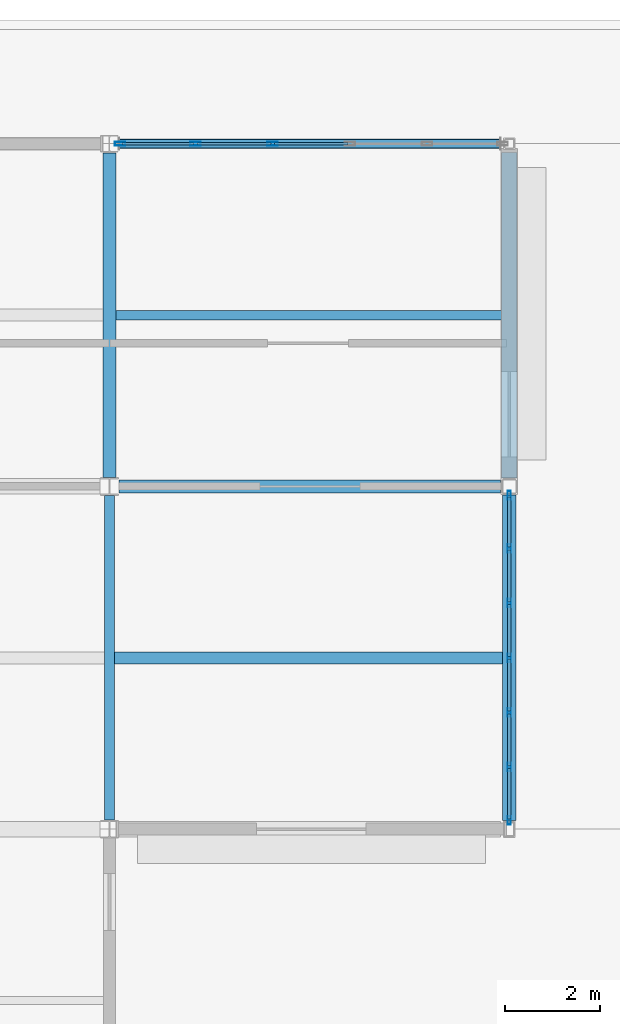
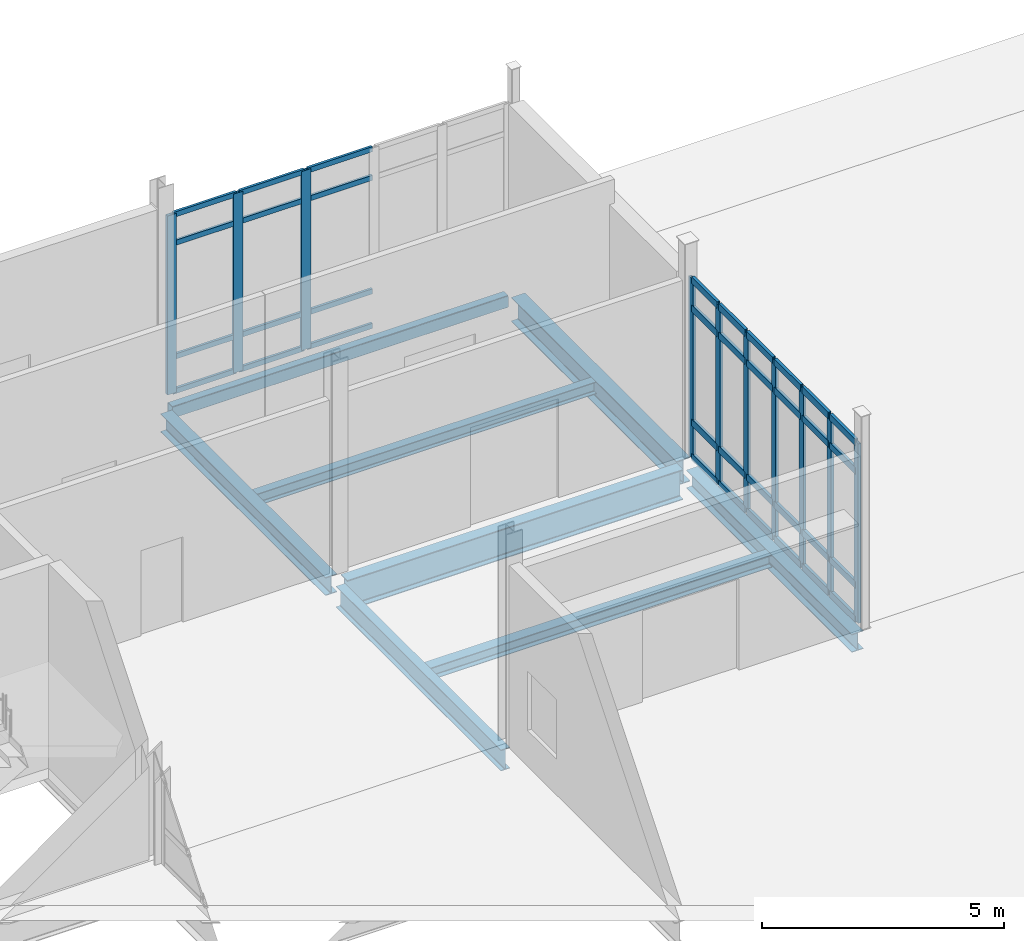
# One storey, part 110 of 229: 46 members, 8 beams, 2 elements without a shape of their own.
"""IFC4 building model written with IfcOpenShell, lengths in metres."""

from ifc_helpers import new_model, si_unit, direction, frame, origin, origin_2d, place, context, subcontext, project, spatial, hollow_rectangle, i_section, extrude, material, layer, layer_set, material_profile, profile_set, type_object, element, aggregate, save


model = new_model("IFC4")

# Units and contexts
model_context = context("Model", 3, precision=1e-05, world=origin(), true_north=direction((0.0, 1.0)))
body_context = subcontext(model_context, "Body", "Model", "MODEL_VIEW")
ifc_project = project(units=[si_unit("LENGTHUNIT", "METRE"), si_unit("AREAUNIT", "SQUARE_METRE"), si_unit("VOLUMEUNIT", "CUBIC_METRE"), si_unit("PLANEANGLEUNIT", "RADIAN"), si_unit("MASSUNIT", "GRAM", prefix="KILO")], contexts=[model_context])

# Site, building, storey
site_placement = place(None, origin())
site = spatial("IfcSite", under=ifc_project, at=site_placement, CompositionType="ELEMENT")
building_placement = place(site_placement, origin())
building = spatial("IfcBuilding", under=site, at=building_placement, Name="Calvrana Isthmian Art Gallery", CompositionType="ELEMENT")
storey_placement = place(building_placement, origin())
storey = spatial("IfcBuildingStorey", under=building, at=storey_placement, Name="L00", CompositionType="ELEMENT", Elevation=0.0)

# Beams
ifc_material_1 = material(Name="Steel ASTM A992 Gr 50", Category="steel")
ifc_material_profile_1 = material_profile(ifc_material_1, i_section(OverallWidth=0.279052734375, OverallDepth=0.4619140625, WebThickness=0.0107421875, FlangeThickness=0.017333984375, FilletRadius=0.02001953125, at=origin_2d()), Name="W18X76")
ifc_profile_set_1 = profile_set([ifc_material_profile_1], Name="Steel ASTM A992 Gr 50")
beam_type_1 = type_object("IfcBeamType", Name="BM-G-W18X76", PredefinedType="BEAM", material=ifc_profile_set_1)
beam_1_placement = place(storey_placement, frame((63.60009765625, 105.79052734375, -0.51611328125), z_axis=(0.0, 1.0, 0.0), x_axis=(-1.0, 0.0, 0.0)))
element("IfcBeam", 1, at=beam_1_placement, inside=storey, type_object=beam_type_1, Name="Girder Y L00 09/O-P", PredefinedType="BEAM", context=body_context, shape_type="SweptSolid", body=[
    extrude(i_section(OverallWidth=0.279052734375, OverallDepth=0.4619140625, WebThickness=0.0107421875, FlangeThickness=0.017333984375, FilletRadius=0.02001953125, at=origin_2d()), origin(), (0.0, 0.0, 1.0), 6.81640625),
])
beam_2_placement = place(storey_placement, frame((72.0, 98.577880859375, -0.51611328125), z_axis=(0.0, 1.0, 0.0), x_axis=(-1.0, 0.0, 0.0)))
element("IfcBeam", 2, at=beam_2_placement, inside=storey, type_object=beam_type_1, Name="Girder Y L00 10/N-O", PredefinedType="BEAM", context=body_context, shape_type="SweptSolid", body=[
    extrude(i_section(OverallWidth=0.279052734375, OverallDepth=0.4619140625, WebThickness=0.0107421875, FlangeThickness=0.017333984375, FilletRadius=0.02001953125, at=origin_2d()), origin(), (0.0, 0.0, 1.0), 6.840576171875),
])
ifc_material_profile_2 = material_profile(ifc_material_1, i_section(OverallWidth=0.208984375, OverallDepth=0.532958984375, WebThickness=0.01025390625, FlangeThickness=0.015625, FilletRadius=0.02099609375, at=origin_2d()), Name="W21X62")
ifc_profile_set_2 = profile_set([ifc_material_profile_2], Name="Steel ASTM A992 Gr 50")
beam_type_2 = type_object("IfcBeamType", Name="BM-G-W21X62", PredefinedType="BEAM", material=ifc_profile_set_2)
beam_3_placement = place(storey_placement, frame((63.60009765625, 98.587890625, -0.551513671875), z_axis=(0.0, 1.0, 0.0), x_axis=(-1.0, 0.0, 0.0)))
element("IfcBeam", 3, at=beam_3_placement, inside=storey, type_object=beam_type_2, Name="Girder Y L00 09/N-O", PredefinedType="BEAM", context=body_context, shape_type="SweptSolid", body=[
    extrude(i_section(OverallWidth=0.208984375, OverallDepth=0.532958984375, WebThickness=0.01025390625, FlangeThickness=0.015625, FilletRadius=0.02099609375, at=origin_2d()), origin(), (0.0, 0.0, 1.0), 6.821533203125),
])
ifc_material_profile_3 = material_profile(ifc_material_1, i_section(OverallWidth=0.324951171875, OverallDepth=0.612060546875, WebThickness=0.0126953125, FlangeThickness=0.01904296875, FilletRadius=0.02197265625, at=origin_2d()), Name="W24X104")
ifc_profile_set_3 = profile_set([ifc_material_profile_3], Name="Steel ASTM A992 Gr 50")
beam_type_3 = type_object("IfcBeamType", Name="BM-G-W24X104", PredefinedType="BEAM", material=ifc_profile_set_3)
beam_4_placement = place(storey_placement, frame((72.0, 105.781494140625, -0.591064453125), z_axis=(0.0, 1.0, 0.0), x_axis=(-1.0, 0.0, 0.0)))
element("IfcBeam", 4, at=beam_4_placement, inside=storey, type_object=beam_type_3, Name="Girder Y L00 10/O-P", PredefinedType="BEAM", context=body_context, shape_type="SweptSolid", body=[
    extrude(i_section(OverallWidth=0.324951171875, OverallDepth=0.612060546875, WebThickness=0.0126953125, FlangeThickness=0.01904296875, FilletRadius=0.02197265625, at=origin_2d()), origin(), (0.0, 0.0, 1.0), 6.83447265625),
])
ifc_material_profile_4 = material_profile(ifc_material_1, i_section(OverallWidth=0.26708984375, OverallDepth=0.761962890625, WebThickness=0.014404296875, FlangeThickness=0.021484375, FilletRadius=0.02490234375, at=origin_2d()), Name="W30X116")
ifc_profile_set_4 = profile_set([ifc_material_profile_4], Name="Steel ASTM A992 Gr 50")
beam_type_4 = type_object("IfcBeamType", Name="BM-G-W30X116", PredefinedType="BEAM", material=ifc_profile_set_4)
beam_5_placement = place(storey_placement, frame((63.798095703125, 105.60009765625, -0.666015625), z_axis=(1.0, 0.0, 0.0), x_axis=(0.0, 1.0, 0.0)))
element("IfcBeam", 5, at=beam_5_placement, inside=storey, type_object=beam_type_4, Name="Girder X L00 09-10/O", PredefinedType="BEAM", context=body_context, shape_type="SweptSolid", body=[
    extrude(i_section(OverallWidth=0.26708984375, OverallDepth=0.761962890625, WebThickness=0.014404296875, FlangeThickness=0.021484375, FilletRadius=0.02490234375, at=origin_2d()), origin(), (0.0, 0.0, 1.0), 8.016357421875),
])
ifc_material_profile_5 = material_profile(ifc_material_1, i_section(OverallWidth=0.202880859375, OverallDepth=0.302001953125, WebThickness=0.007568359375, FlangeThickness=0.01318359375, FilletRadius=0.01611328125, at=origin_2d()), Name="W12X40")
ifc_profile_set_5 = profile_set([ifc_material_profile_5], Name="Steel ASTM A992 Gr 50")
beam_type_5 = type_object("IfcBeamType", Name="BM-J-W12X40", PredefinedType="JOIST", material=ifc_profile_set_5)
beam_6_placement = place(storey_placement, frame((63.739501953125, 109.199951171875, -0.43603515625), z_axis=(1.0, 0.0, 0.0), x_axis=(0.0, 1.0, 0.0)))
element("IfcBeam", 6, at=beam_6_placement, inside=storey, type_object=beam_type_5, Name="Composite joist L00 bay 08-14", PredefinedType="JOIST", context=body_context, shape_type="SweptSolid", body=[
    extrude(i_section(OverallWidth=0.202880859375, OverallDepth=0.302001953125, WebThickness=0.007568359375, FlangeThickness=0.01318359375, FilletRadius=0.01611328125, at=origin_2d()), origin(), (0.0, 0.0, 1.0), 8.097900390625),
])
ifc_material_profile_6 = material_profile(ifc_material_1, i_section(OverallWidth=0.25390625, OverallDepth=0.306884765625, WebThickness=0.0087890625, FlangeThickness=0.0146484375, FilletRadius=0.01611328125, at=origin_2d()), Name="W12X53")
ifc_profile_set_6 = profile_set([ifc_material_profile_6], Name="Steel ASTM A992 Gr 50")
beam_type_6 = type_object("IfcBeamType", Name="BM-J-W12X53", PredefinedType="JOIST", material=ifc_profile_set_6)
beam_7_placement = place(storey_placement, frame((63.70458984375, 102.0, -0.4384765625), z_axis=(1.0, 0.0, 0.0), x_axis=(0.0, 1.0, 0.0)))
element("IfcBeam", 7, at=beam_7_placement, inside=storey, type_object=beam_type_6, Name="Composite joist L00 bay 08-13", PredefinedType="JOIST", context=body_context, shape_type="SweptSolid", body=[
    extrude(i_section(OverallWidth=0.25390625, OverallDepth=0.306884765625, WebThickness=0.0087890625, FlangeThickness=0.0146484375, FilletRadius=0.01611328125, at=origin_2d()), origin(), (0.0, 0.0, 1.0), 8.156005859375),
])
ifc_material_2 = material(Name="Steel ASTM A500 Gr C", Category="steel")
ifc_material_profile_7 = material_profile(ifc_material_2, hollow_rectangle(XDim=0.203125, YDim=0.3046875, WallThickness=0.0126953125, OuterFilletRadius=0.02490234375, at=origin_2d()), Name="HSS305X203X12.7")
ifc_profile_set_7 = profile_set([ifc_material_profile_7], Name="Steel ASTM A500 Gr C")
beam_type_7 = type_object("IfcBeamType", Name="BM-SP-HSS305", PredefinedType="SPANDREL", material=ifc_profile_set_7)
beam_8_placement = place(storey_placement, frame((63.799560546875, 112.800048828125, -0.4375), z_axis=(1.0, 0.0, 0.0), x_axis=(0.0, 1.0, 0.0)))
element("IfcBeam", 8, at=beam_8_placement, inside=storey, type_object=beam_type_7, Name="Girder X L00 09-10/P", PredefinedType="SPANDREL", context=body_context, shape_type="SweptSolid", body=[
    extrude(hollow_rectangle(XDim=0.203125, YDim=0.3046875, WallThickness=0.0126953125, OuterFilletRadius=0.02490234375, at=origin_2d()), origin(), (0.0, 0.0, 1.0), 8.013916015625),
])

# Curtain wall, members
ifc_material_3 = material(Name="Anodized bronze aluminium 6063-T6", Category="aluminium")
ifc_layer_1 = layer(ifc_material_3, 0.179931640625, Name="Anodized bronze aluminium 6063-T6")
ifc_layer_set_1 = layer_set([ifc_layer_1], Name="Anodized bronze aluminium 6063-T6")
curtain_wall_type_1 = type_object("IfcCurtainWallType", Name="CW-UNIT-069X45", PredefinedType="USERDEFINED", material=ifc_layer_set_1)
curtain_wall_1_placement = place(storey_placement, origin())
curtain_wall_1 = element("IfcCurtainWall", 9, at=curtain_wall_1_placement, inside=storey, type_object=curtain_wall_type_1, Name="Curtain wall CW-068", ObjectType="UNITISED CURTAIN WALL", PredefinedType="USERDEFINED")
ifc_material_profile_8 = material_profile(ifc_material_3, hollow_rectangle(XDim=0.06494140625, YDim=0.179931640625, WallThickness=0.00439453125, at=origin_2d()), Name="CWM65X180")
ifc_profile_set_8 = profile_set([ifc_material_profile_8], Name="Anodized bronze aluminium 6063-T6")
member_type_1 = type_object("IfcMemberType", Name="CWM-CWM65X180", PredefinedType="MULLION", material=ifc_profile_set_8)
member_1_placement = place(storey_placement, frame((72.0, 105.4150390625, 0.0), z_axis=(0.0, 0.0, 1.0), x_axis=(1.0, 0.0, 0.0)))
member_1 = element("IfcMember", 10, at=member_1_placement, type_object=member_type_1, Name="CW-068 mullion 1", PredefinedType="MULLION", context=body_context, shape_type="SweptSolid", body=[
    extrude(hollow_rectangle(XDim=0.06494140625, YDim=0.179931640625, WallThickness=0.00439453125, at=origin_2d()), origin(), (0.0, 0.0, 1.0), 4.528076171875),
])
member_2_placement = place(storey_placement, frame((72.0, 104.29833984375, 0.0), z_axis=(0.0, 0.0, 1.0), x_axis=(1.0, 0.0, 0.0)))
member_2 = element("IfcMember", 11, at=member_2_placement, type_object=member_type_1, Name="CW-068 mullion 2", PredefinedType="MULLION", context=body_context, shape_type="SweptSolid", body=[
    extrude(hollow_rectangle(XDim=0.06494140625, YDim=0.179931640625, WallThickness=0.00439453125, at=origin_2d()), origin(), (0.0, 0.0, 1.0), 4.528076171875),
])
member_3_placement = place(storey_placement, frame((72.0, 103.149169921875, 0.0), z_axis=(0.0, 0.0, 1.0), x_axis=(1.0, 0.0, 0.0)))
member_3 = element("IfcMember", 12, at=member_3_placement, type_object=member_type_1, Name="CW-068 mullion 3", PredefinedType="MULLION", context=body_context, shape_type="SweptSolid", body=[
    extrude(hollow_rectangle(XDim=0.06494140625, YDim=0.179931640625, WallThickness=0.00439453125, at=origin_2d()), origin(), (0.0, 0.0, 1.0), 4.528076171875),
])
member_4_placement = place(storey_placement, frame((72.0, 102.0, 0.0), z_axis=(0.0, 0.0, 1.0), x_axis=(1.0, 0.0, 0.0)))
member_4 = element("IfcMember", 13, at=member_4_placement, type_object=member_type_1, Name="CW-068 mullion 4", PredefinedType="MULLION", context=body_context, shape_type="SweptSolid", body=[
    extrude(hollow_rectangle(XDim=0.06494140625, YDim=0.179931640625, WallThickness=0.00439453125, at=origin_2d()), origin(), (0.0, 0.0, 1.0), 4.528076171875),
])
member_5_placement = place(storey_placement, frame((72.0, 100.850830078125, 0.0), z_axis=(0.0, 0.0, 1.0), x_axis=(1.0, 0.0, 0.0)))
member_5 = element("IfcMember", 14, at=member_5_placement, type_object=member_type_1, Name="CW-068 mullion 5", PredefinedType="MULLION", context=body_context, shape_type="SweptSolid", body=[
    extrude(hollow_rectangle(XDim=0.06494140625, YDim=0.179931640625, WallThickness=0.00439453125, at=origin_2d()), origin(), (0.0, 0.0, 1.0), 4.528076171875),
])
member_6_placement = place(storey_placement, frame((72.0, 99.70166015625, 0.0), z_axis=(0.0, 0.0, 1.0), x_axis=(1.0, 0.0, 0.0)))
member_6 = element("IfcMember", 15, at=member_6_placement, type_object=member_type_1, Name="CW-068 mullion 6", PredefinedType="MULLION", context=body_context, shape_type="SweptSolid", body=[
    extrude(hollow_rectangle(XDim=0.06494140625, YDim=0.179931640625, WallThickness=0.00439453125, at=origin_2d()), origin(), (0.0, 0.0, 1.0), 4.528076171875),
])
member_7_placement = place(storey_placement, frame((72.0, 98.5849609375, 0.0), z_axis=(0.0, 0.0, 1.0), x_axis=(1.0, 0.0, 0.0)))
member_7 = element("IfcMember", 16, at=member_7_placement, type_object=member_type_1, Name="CW-068 mullion 7", PredefinedType="MULLION", context=body_context, shape_type="SweptSolid", body=[
    extrude(hollow_rectangle(XDim=0.06494140625, YDim=0.179931640625, WallThickness=0.00439453125, at=origin_2d()), origin(), (0.0, 0.0, 1.0), 4.528076171875),
])

ifc_layer_2 = layer(ifc_material_3, 0.179931640625, Name="Anodized bronze aluminium 6063-T6")
ifc_layer_set_2 = layer_set([ifc_layer_2], Name="Anodized bronze aluminium 6063-T6")
curtain_wall_type_2 = type_object("IfcCurtainWallType", Name="CW-UNIT-081X45", PredefinedType="USERDEFINED", material=ifc_layer_set_2)
curtain_wall_2_placement = place(storey_placement, origin())
curtain_wall_2 = element("IfcCurtainWall", 17, at=curtain_wall_2_placement, inside=storey, type_object=curtain_wall_type_2, Name="Curtain wall CW-046", ObjectType="UNITISED CURTAIN WALL", PredefinedType="USERDEFINED")
ifc_material_profile_9 = material_profile(ifc_material_3, hollow_rectangle(XDim=0.074951171875, YDim=0.219970703125, WallThickness=0.0048828125, at=origin_2d()), Name="CWM75X220")
ifc_profile_set_9 = profile_set([ifc_material_profile_9], Name="Anodized bronze aluminium 6063-T6")
member_type_2 = type_object("IfcMemberType", Name="CWM-CWM75X220", PredefinedType="MULLION", material=ifc_profile_set_9)
member_8_placement = place(storey_placement, frame((63.821533203125, 112.800048828125, 0.0), z_axis=(0.0, 0.0, 1.0), x_axis=(0.0, 1.0, 0.0)))
member_8 = element("IfcMember", 18, at=member_8_placement, type_object=member_type_2, Name="CW-046 mullion 1", PredefinedType="MULLION", context=body_context, shape_type="SweptSolid", body=[
    extrude(hollow_rectangle(XDim=0.074951171875, YDim=0.219970703125, WallThickness=0.0048828125, at=origin_2d()), origin(), (0.0, 0.0, 1.0), 4.51806640625),
])
member_9_placement = place(storey_placement, frame((65.406982421875, 112.800048828125, 0.0), z_axis=(0.0, 0.0, 1.0), x_axis=(0.0, 1.0, 0.0)))
member_9 = element("IfcMember", 19, at=member_9_placement, type_object=member_type_2, Name="CW-046 mullion 2", PredefinedType="MULLION", context=body_context, shape_type="SweptSolid", body=[
    extrude(hollow_rectangle(XDim=0.074951171875, YDim=0.219970703125, WallThickness=0.0048828125, at=origin_2d()), origin(), (0.0, 0.0, 1.0), 4.51806640625),
])
member_10_placement = place(storey_placement, frame((67.02978515625, 112.800048828125, 0.0), z_axis=(0.0, 0.0, 1.0), x_axis=(0.0, 1.0, 0.0)))
member_10 = element("IfcMember", 20, at=member_10_placement, type_object=member_type_2, Name="CW-046 mullion 3", PredefinedType="MULLION", context=body_context, shape_type="SweptSolid", body=[
    extrude(hollow_rectangle(XDim=0.074951171875, YDim=0.219970703125, WallThickness=0.0048828125, at=origin_2d()), origin(), (0.0, 0.0, 1.0), 4.51806640625),
])
ifc_material_profile_10 = material_profile(ifc_material_3, hollow_rectangle(XDim=0.06005859375, YDim=0.1298828125, WallThickness=0.00390625, at=origin_2d()), Name="CWT60X130")
ifc_profile_set_10 = profile_set([ifc_material_profile_10], Name="Anodized bronze aluminium 6063-T6")
member_type_3 = type_object("IfcMemberType", Name="CWT-CWT60X130", PredefinedType="USERDEFINED", material=ifc_profile_set_10)
member_11_placement = place(storey_placement, frame((63.85888671875, 112.800048828125, 0.030029296875), z_axis=(1.0, 0.0, 0.0), x_axis=(0.0, 1.0, 0.0)))
member_11 = element("IfcMember", 21, at=member_11_placement, type_object=member_type_3, Name="CW-046 transom 1.1", ObjectType="TRANSOM", PredefinedType="USERDEFINED", context=body_context, shape_type="SweptSolid", body=[
    extrude(hollow_rectangle(XDim=0.06005859375, YDim=0.1298828125, WallThickness=0.00390625, at=origin_2d()), origin(), (0.0, 0.0, 1.0), 1.510498046875),
])
member_12_placement = place(storey_placement, frame((63.85888671875, 112.800048828125, 0.89990234375), z_axis=(1.0, 0.0, 0.0), x_axis=(0.0, 1.0, 0.0)))
member_12 = element("IfcMember", 22, at=member_12_placement, type_object=member_type_3, Name="CW-046 transom 1.2", ObjectType="TRANSOM", PredefinedType="USERDEFINED", context=body_context, shape_type="SweptSolid", body=[
    extrude(hollow_rectangle(XDim=0.06005859375, YDim=0.1298828125, WallThickness=0.00390625, at=origin_2d()), origin(), (0.0, 0.0, 1.0), 1.510498046875),
])
member_13_placement = place(storey_placement, frame((63.85888671875, 112.800048828125, 3.76806640625), z_axis=(1.0, 0.0, 0.0), x_axis=(0.0, 1.0, 0.0)))
member_13 = element("IfcMember", 23, at=member_13_placement, type_object=member_type_3, Name="CW-046 transom 1.3", ObjectType="TRANSOM", PredefinedType="USERDEFINED", context=body_context, shape_type="SweptSolid", body=[
    extrude(hollow_rectangle(XDim=0.06005859375, YDim=0.1298828125, WallThickness=0.00390625, at=origin_2d()), origin(), (0.0, 0.0, 1.0), 1.510498046875),
])
member_14_placement = place(storey_placement, frame((63.85888671875, 112.800048828125, 4.488037109375), z_axis=(1.0, 0.0, 0.0), x_axis=(0.0, 1.0, 0.0)))
member_14 = element("IfcMember", 24, at=member_14_placement, type_object=member_type_3, Name="CW-046 transom 1.4", ObjectType="TRANSOM", PredefinedType="USERDEFINED", context=body_context, shape_type="SweptSolid", body=[
    extrude(hollow_rectangle(XDim=0.06005859375, YDim=0.1298828125, WallThickness=0.00390625, at=origin_2d()), origin(), (0.0, 0.0, 1.0), 1.510498046875),
])
member_15_placement = place(storey_placement, frame((65.4443359375, 112.800048828125, 0.030029296875), z_axis=(1.0, 0.0, 0.0), x_axis=(0.0, 1.0, 0.0)))
member_15 = element("IfcMember", 25, at=member_15_placement, type_object=member_type_3, Name="CW-046 transom 2.1", ObjectType="TRANSOM", PredefinedType="USERDEFINED", context=body_context, shape_type="SweptSolid", body=[
    extrude(hollow_rectangle(XDim=0.06005859375, YDim=0.1298828125, WallThickness=0.00390625, at=origin_2d()), origin(), (0.0, 0.0, 1.0), 1.5478515625),
])
member_16_placement = place(storey_placement, frame((65.4443359375, 112.800048828125, 0.89990234375), z_axis=(1.0, 0.0, 0.0), x_axis=(0.0, 1.0, 0.0)))
member_16 = element("IfcMember", 26, at=member_16_placement, type_object=member_type_3, Name="CW-046 transom 2.2", ObjectType="TRANSOM", PredefinedType="USERDEFINED", context=body_context, shape_type="SweptSolid", body=[
    extrude(hollow_rectangle(XDim=0.06005859375, YDim=0.1298828125, WallThickness=0.00390625, at=origin_2d()), origin(), (0.0, 0.0, 1.0), 1.5478515625),
])
member_17_placement = place(storey_placement, frame((65.4443359375, 112.800048828125, 3.76806640625), z_axis=(1.0, 0.0, 0.0), x_axis=(0.0, 1.0, 0.0)))
member_17 = element("IfcMember", 27, at=member_17_placement, type_object=member_type_3, Name="CW-046 transom 2.3", ObjectType="TRANSOM", PredefinedType="USERDEFINED", context=body_context, shape_type="SweptSolid", body=[
    extrude(hollow_rectangle(XDim=0.06005859375, YDim=0.1298828125, WallThickness=0.00390625, at=origin_2d()), origin(), (0.0, 0.0, 1.0), 1.5478515625),
])
member_18_placement = place(storey_placement, frame((65.4443359375, 112.800048828125, 4.488037109375), z_axis=(1.0, 0.0, 0.0), x_axis=(0.0, 1.0, 0.0)))
member_18 = element("IfcMember", 28, at=member_18_placement, type_object=member_type_3, Name="CW-046 transom 2.4", ObjectType="TRANSOM", PredefinedType="USERDEFINED", context=body_context, shape_type="SweptSolid", body=[
    extrude(hollow_rectangle(XDim=0.06005859375, YDim=0.1298828125, WallThickness=0.00390625, at=origin_2d()), origin(), (0.0, 0.0, 1.0), 1.5478515625),
])
member_19_placement = place(storey_placement, frame((67.067138671875, 112.800048828125, 0.030029296875), z_axis=(1.0, 0.0, 0.0), x_axis=(0.0, 1.0, 0.0)))
member_19 = element("IfcMember", 29, at=member_19_placement, type_object=member_type_3, Name="CW-046 transom 3.1", ObjectType="TRANSOM", PredefinedType="USERDEFINED", context=body_context, shape_type="SweptSolid", body=[
    extrude(hollow_rectangle(XDim=0.06005859375, YDim=0.1298828125, WallThickness=0.00390625, at=origin_2d()), origin(), (0.0, 0.0, 1.0), 1.548095703125),
])
member_20_placement = place(storey_placement, frame((67.067138671875, 112.800048828125, 0.89990234375), z_axis=(1.0, 0.0, 0.0), x_axis=(0.0, 1.0, 0.0)))
member_20 = element("IfcMember", 30, at=member_20_placement, type_object=member_type_3, Name="CW-046 transom 3.2", ObjectType="TRANSOM", PredefinedType="USERDEFINED", context=body_context, shape_type="SweptSolid", body=[
    extrude(hollow_rectangle(XDim=0.06005859375, YDim=0.1298828125, WallThickness=0.00390625, at=origin_2d()), origin(), (0.0, 0.0, 1.0), 1.548095703125),
])
member_21_placement = place(storey_placement, frame((67.067138671875, 112.800048828125, 3.76806640625), z_axis=(1.0, 0.0, 0.0), x_axis=(0.0, 1.0, 0.0)))
member_21 = element("IfcMember", 31, at=member_21_placement, type_object=member_type_3, Name="CW-046 transom 3.3", ObjectType="TRANSOM", PredefinedType="USERDEFINED", context=body_context, shape_type="SweptSolid", body=[
    extrude(hollow_rectangle(XDim=0.06005859375, YDim=0.1298828125, WallThickness=0.00390625, at=origin_2d()), origin(), (0.0, 0.0, 1.0), 1.548095703125),
])
member_22_placement = place(storey_placement, frame((67.067138671875, 112.800048828125, 4.488037109375), z_axis=(1.0, 0.0, 0.0), x_axis=(0.0, 1.0, 0.0)))
member_22 = element("IfcMember", 32, at=member_22_placement, type_object=member_type_3, Name="CW-046 transom 3.4", ObjectType="TRANSOM", PredefinedType="USERDEFINED", context=body_context, shape_type="SweptSolid", body=[
    extrude(hollow_rectangle(XDim=0.06005859375, YDim=0.1298828125, WallThickness=0.00390625, at=origin_2d()), origin(), (0.0, 0.0, 1.0), 1.548095703125),
])
aggregate(curtain_wall_2, [member_8, member_9, member_10, member_11, member_12, member_13, member_14, member_15, member_16, member_17, member_18, member_19, member_20, member_21, member_22])

# Member
ifc_material_profile_11 = material_profile(ifc_material_3, hollow_rectangle(XDim=0.070068359375, YDim=0.169921875, WallThickness=0.00439453125, at=origin_2d()), Name="CWT70X170")
ifc_profile_set_11 = profile_set([ifc_material_profile_11], Name="Anodized bronze aluminium 6063-T6")
member_type_4 = type_object("IfcMemberType", Name="CWT-CWT70X170", PredefinedType="USERDEFINED", material=ifc_profile_set_11)
member_23_placement = place(storey_placement, frame((72.0, 105.382568359375, 0.034912109375), z_axis=(0.0, -1.0, 0.0), x_axis=(1.0, 0.0, 0.0)))
member_23 = element("IfcMember", 33, at=member_23_placement, type_object=member_type_4, Name="CW-068 transom 1.1", ObjectType="TRANSOM", PredefinedType="USERDEFINED", context=body_context, shape_type="SweptSolid", body=[
    extrude(hollow_rectangle(XDim=0.070068359375, YDim=0.169921875, WallThickness=0.00439453125, at=origin_2d()), origin(), (0.0, 0.0, 1.0), 1.0517578125),
])

member_24_placement = place(storey_placement, frame((72.0, 105.382568359375, 0.89990234375), z_axis=(0.0, -1.0, 0.0), x_axis=(1.0, 0.0, 0.0)))
member_24 = element("IfcMember", 34, at=member_24_placement, type_object=member_type_4, Name="CW-068 transom 1.2", ObjectType="TRANSOM", PredefinedType="USERDEFINED", context=body_context, shape_type="SweptSolid", body=[
    extrude(hollow_rectangle(XDim=0.070068359375, YDim=0.169921875, WallThickness=0.00439453125, at=origin_2d()), origin(), (0.0, 0.0, 1.0), 1.0517578125),
])

member_25_placement = place(storey_placement, frame((72.0, 105.382568359375, 3.778076171875), z_axis=(0.0, -1.0, 0.0), x_axis=(1.0, 0.0, 0.0)))
member_25 = element("IfcMember", 35, at=member_25_placement, type_object=member_type_4, Name="CW-068 transom 1.3", ObjectType="TRANSOM", PredefinedType="USERDEFINED", context=body_context, shape_type="SweptSolid", body=[
    extrude(hollow_rectangle(XDim=0.070068359375, YDim=0.169921875, WallThickness=0.00439453125, at=origin_2d()), origin(), (0.0, 0.0, 1.0), 1.0517578125),
])

member_26_placement = place(storey_placement, frame((72.0, 105.382568359375, 4.492919921875), z_axis=(0.0, -1.0, 0.0), x_axis=(1.0, 0.0, 0.0)))
member_26 = element("IfcMember", 36, at=member_26_placement, type_object=member_type_4, Name="CW-068 transom 1.4", ObjectType="TRANSOM", PredefinedType="USERDEFINED", context=body_context, shape_type="SweptSolid", body=[
    extrude(hollow_rectangle(XDim=0.070068359375, YDim=0.169921875, WallThickness=0.00439453125, at=origin_2d()), origin(), (0.0, 0.0, 1.0), 1.0517578125),
])

member_27_placement = place(storey_placement, frame((72.0, 104.265869140625, 0.034912109375), z_axis=(0.0, -1.0, 0.0), x_axis=(1.0, 0.0, 0.0)))
member_27 = element("IfcMember", 37, at=member_27_placement, type_object=member_type_4, Name="CW-068 transom 2.1", ObjectType="TRANSOM", PredefinedType="USERDEFINED", context=body_context, shape_type="SweptSolid", body=[
    extrude(hollow_rectangle(XDim=0.070068359375, YDim=0.169921875, WallThickness=0.00439453125, at=origin_2d()), origin(), (0.0, 0.0, 1.0), 1.084228515625),
])

member_28_placement = place(storey_placement, frame((72.0, 104.265869140625, 0.89990234375), z_axis=(0.0, -1.0, 0.0), x_axis=(1.0, 0.0, 0.0)))
member_28 = element("IfcMember", 38, at=member_28_placement, type_object=member_type_4, Name="CW-068 transom 2.2", ObjectType="TRANSOM", PredefinedType="USERDEFINED", context=body_context, shape_type="SweptSolid", body=[
    extrude(hollow_rectangle(XDim=0.070068359375, YDim=0.169921875, WallThickness=0.00439453125, at=origin_2d()), origin(), (0.0, 0.0, 1.0), 1.084228515625),
])

member_29_placement = place(storey_placement, frame((72.0, 104.265869140625, 3.778076171875), z_axis=(0.0, -1.0, 0.0), x_axis=(1.0, 0.0, 0.0)))
member_29 = element("IfcMember", 39, at=member_29_placement, type_object=member_type_4, Name="CW-068 transom 2.3", ObjectType="TRANSOM", PredefinedType="USERDEFINED", context=body_context, shape_type="SweptSolid", body=[
    extrude(hollow_rectangle(XDim=0.070068359375, YDim=0.169921875, WallThickness=0.00439453125, at=origin_2d()), origin(), (0.0, 0.0, 1.0), 1.084228515625),
])

member_30_placement = place(storey_placement, frame((72.0, 104.265869140625, 4.492919921875), z_axis=(0.0, -1.0, 0.0), x_axis=(1.0, 0.0, 0.0)))
member_30 = element("IfcMember", 40, at=member_30_placement, type_object=member_type_4, Name="CW-068 transom 2.4", ObjectType="TRANSOM", PredefinedType="USERDEFINED", context=body_context, shape_type="SweptSolid", body=[
    extrude(hollow_rectangle(XDim=0.070068359375, YDim=0.169921875, WallThickness=0.00439453125, at=origin_2d()), origin(), (0.0, 0.0, 1.0), 1.084228515625),
])

member_31_placement = place(storey_placement, frame((72.0, 103.11669921875, 0.034912109375), z_axis=(0.0, -1.0, 0.0), x_axis=(1.0, 0.0, 0.0)))
member_31 = element("IfcMember", 41, at=member_31_placement, type_object=member_type_4, Name="CW-068 transom 3.1", ObjectType="TRANSOM", PredefinedType="USERDEFINED", context=body_context, shape_type="SweptSolid", body=[
    extrude(hollow_rectangle(XDim=0.070068359375, YDim=0.169921875, WallThickness=0.00439453125, at=origin_2d()), origin(), (0.0, 0.0, 1.0), 1.084228515625),
])

member_32_placement = place(storey_placement, frame((72.0, 103.11669921875, 0.89990234375), z_axis=(0.0, -1.0, 0.0), x_axis=(1.0, 0.0, 0.0)))
member_32 = element("IfcMember", 42, at=member_32_placement, type_object=member_type_4, Name="CW-068 transom 3.2", ObjectType="TRANSOM", PredefinedType="USERDEFINED", context=body_context, shape_type="SweptSolid", body=[
    extrude(hollow_rectangle(XDim=0.070068359375, YDim=0.169921875, WallThickness=0.00439453125, at=origin_2d()), origin(), (0.0, 0.0, 1.0), 1.084228515625),
])

member_33_placement = place(storey_placement, frame((72.0, 103.11669921875, 3.778076171875), z_axis=(0.0, -1.0, 0.0), x_axis=(1.0, 0.0, 0.0)))
member_33 = element("IfcMember", 43, at=member_33_placement, type_object=member_type_4, Name="CW-068 transom 3.3", ObjectType="TRANSOM", PredefinedType="USERDEFINED", context=body_context, shape_type="SweptSolid", body=[
    extrude(hollow_rectangle(XDim=0.070068359375, YDim=0.169921875, WallThickness=0.00439453125, at=origin_2d()), origin(), (0.0, 0.0, 1.0), 1.084228515625),
])

member_34_placement = place(storey_placement, frame((72.0, 103.11669921875, 4.492919921875), z_axis=(0.0, -1.0, 0.0), x_axis=(1.0, 0.0, 0.0)))
member_34 = element("IfcMember", 44, at=member_34_placement, type_object=member_type_4, Name="CW-068 transom 3.4", ObjectType="TRANSOM", PredefinedType="USERDEFINED", context=body_context, shape_type="SweptSolid", body=[
    extrude(hollow_rectangle(XDim=0.070068359375, YDim=0.169921875, WallThickness=0.00439453125, at=origin_2d()), origin(), (0.0, 0.0, 1.0), 1.084228515625),
])

member_35_placement = place(storey_placement, frame((72.0, 101.967529296875, 0.034912109375), z_axis=(0.0, -1.0, 0.0), x_axis=(1.0, 0.0, 0.0)))
member_35 = element("IfcMember", 45, at=member_35_placement, type_object=member_type_4, Name="CW-068 transom 4.1", ObjectType="TRANSOM", PredefinedType="USERDEFINED", context=body_context, shape_type="SweptSolid", body=[
    extrude(hollow_rectangle(XDim=0.070068359375, YDim=0.169921875, WallThickness=0.00439453125, at=origin_2d()), origin(), (0.0, 0.0, 1.0), 1.084228515625),
])

member_36_placement = place(storey_placement, frame((72.0, 101.967529296875, 0.89990234375), z_axis=(0.0, -1.0, 0.0), x_axis=(1.0, 0.0, 0.0)))
member_36 = element("IfcMember", 46, at=member_36_placement, type_object=member_type_4, Name="CW-068 transom 4.2", ObjectType="TRANSOM", PredefinedType="USERDEFINED", context=body_context, shape_type="SweptSolid", body=[
    extrude(hollow_rectangle(XDim=0.070068359375, YDim=0.169921875, WallThickness=0.00439453125, at=origin_2d()), origin(), (0.0, 0.0, 1.0), 1.084228515625),
])

member_37_placement = place(storey_placement, frame((72.0, 101.967529296875, 3.778076171875), z_axis=(0.0, -1.0, 0.0), x_axis=(1.0, 0.0, 0.0)))
member_37 = element("IfcMember", 47, at=member_37_placement, type_object=member_type_4, Name="CW-068 transom 4.3", ObjectType="TRANSOM", PredefinedType="USERDEFINED", context=body_context, shape_type="SweptSolid", body=[
    extrude(hollow_rectangle(XDim=0.070068359375, YDim=0.169921875, WallThickness=0.00439453125, at=origin_2d()), origin(), (0.0, 0.0, 1.0), 1.084228515625),
])

member_38_placement = place(storey_placement, frame((72.0, 101.967529296875, 4.492919921875), z_axis=(0.0, -1.0, 0.0), x_axis=(1.0, 0.0, 0.0)))
member_38 = element("IfcMember", 48, at=member_38_placement, type_object=member_type_4, Name="CW-068 transom 4.4", ObjectType="TRANSOM", PredefinedType="USERDEFINED", context=body_context, shape_type="SweptSolid", body=[
    extrude(hollow_rectangle(XDim=0.070068359375, YDim=0.169921875, WallThickness=0.00439453125, at=origin_2d()), origin(), (0.0, 0.0, 1.0), 1.084228515625),
])

member_39_placement = place(storey_placement, frame((72.0, 100.818359375, 0.034912109375), z_axis=(0.0, -1.0, 0.0), x_axis=(1.0, 0.0, 0.0)))
member_39 = element("IfcMember", 49, at=member_39_placement, type_object=member_type_4, Name="CW-068 transom 5.1", ObjectType="TRANSOM", PredefinedType="USERDEFINED", context=body_context, shape_type="SweptSolid", body=[
    extrude(hollow_rectangle(XDim=0.070068359375, YDim=0.169921875, WallThickness=0.00439453125, at=origin_2d()), origin(), (0.0, 0.0, 1.0), 1.084228515625),
])

member_40_placement = place(storey_placement, frame((72.0, 100.818359375, 0.89990234375), z_axis=(0.0, -1.0, 0.0), x_axis=(1.0, 0.0, 0.0)))
member_40 = element("IfcMember", 50, at=member_40_placement, type_object=member_type_4, Name="CW-068 transom 5.2", ObjectType="TRANSOM", PredefinedType="USERDEFINED", context=body_context, shape_type="SweptSolid", body=[
    extrude(hollow_rectangle(XDim=0.070068359375, YDim=0.169921875, WallThickness=0.00439453125, at=origin_2d()), origin(), (0.0, 0.0, 1.0), 1.084228515625),
])

member_41_placement = place(storey_placement, frame((72.0, 100.818359375, 3.778076171875), z_axis=(0.0, -1.0, 0.0), x_axis=(1.0, 0.0, 0.0)))
member_41 = element("IfcMember", 51, at=member_41_placement, type_object=member_type_4, Name="CW-068 transom 5.3", ObjectType="TRANSOM", PredefinedType="USERDEFINED", context=body_context, shape_type="SweptSolid", body=[
    extrude(hollow_rectangle(XDim=0.070068359375, YDim=0.169921875, WallThickness=0.00439453125, at=origin_2d()), origin(), (0.0, 0.0, 1.0), 1.084228515625),
])

member_42_placement = place(storey_placement, frame((72.0, 100.818359375, 4.492919921875), z_axis=(0.0, -1.0, 0.0), x_axis=(1.0, 0.0, 0.0)))
member_42 = element("IfcMember", 52, at=member_42_placement, type_object=member_type_4, Name="CW-068 transom 5.4", ObjectType="TRANSOM", PredefinedType="USERDEFINED", context=body_context, shape_type="SweptSolid", body=[
    extrude(hollow_rectangle(XDim=0.070068359375, YDim=0.169921875, WallThickness=0.00439453125, at=origin_2d()), origin(), (0.0, 0.0, 1.0), 1.084228515625),
])

member_43_placement = place(storey_placement, frame((72.0, 99.669189453125, 0.034912109375), z_axis=(0.0, -1.0, 0.0), x_axis=(1.0, 0.0, 0.0)))
member_43 = element("IfcMember", 53, at=member_43_placement, type_object=member_type_4, Name="CW-068 transom 6.1", ObjectType="TRANSOM", PredefinedType="USERDEFINED", context=body_context, shape_type="SweptSolid", body=[
    extrude(hollow_rectangle(XDim=0.070068359375, YDim=0.169921875, WallThickness=0.00439453125, at=origin_2d()), origin(), (0.0, 0.0, 1.0), 1.0517578125),
])

member_44_placement = place(storey_placement, frame((72.0, 99.669189453125, 0.89990234375), z_axis=(0.0, -1.0, 0.0), x_axis=(1.0, 0.0, 0.0)))
member_44 = element("IfcMember", 54, at=member_44_placement, type_object=member_type_4, Name="CW-068 transom 6.2", ObjectType="TRANSOM", PredefinedType="USERDEFINED", context=body_context, shape_type="SweptSolid", body=[
    extrude(hollow_rectangle(XDim=0.070068359375, YDim=0.169921875, WallThickness=0.00439453125, at=origin_2d()), origin(), (0.0, 0.0, 1.0), 1.0517578125),
])

member_45_placement = place(storey_placement, frame((72.0, 99.669189453125, 3.778076171875), z_axis=(0.0, -1.0, 0.0), x_axis=(1.0, 0.0, 0.0)))
member_45 = element("IfcMember", 55, at=member_45_placement, type_object=member_type_4, Name="CW-068 transom 6.3", ObjectType="TRANSOM", PredefinedType="USERDEFINED", context=body_context, shape_type="SweptSolid", body=[
    extrude(hollow_rectangle(XDim=0.070068359375, YDim=0.169921875, WallThickness=0.00439453125, at=origin_2d()), origin(), (0.0, 0.0, 1.0), 1.0517578125),
])

member_46_placement = place(storey_placement, frame((72.0, 99.669189453125, 4.492919921875), z_axis=(0.0, -1.0, 0.0), x_axis=(1.0, 0.0, 0.0)))
member_46 = element("IfcMember", 56, at=member_46_placement, type_object=member_type_4, Name="CW-068 transom 6.4", ObjectType="TRANSOM", PredefinedType="USERDEFINED", context=body_context, shape_type="SweptSolid", body=[
    extrude(hollow_rectangle(XDim=0.070068359375, YDim=0.169921875, WallThickness=0.00439453125, at=origin_2d()), origin(), (0.0, 0.0, 1.0), 1.0517578125),
])

aggregate(curtain_wall_1, [member_1, member_2, member_3, member_4, member_5, member_6, member_7, member_23, member_24, member_25, member_26, member_27, member_28, member_29, member_30, member_31, member_32, member_33, member_34, member_35, member_36, member_37, member_38, member_39, member_40, member_41, member_42, member_43, member_44, member_45, member_46])

save(model, "model.ifc")
